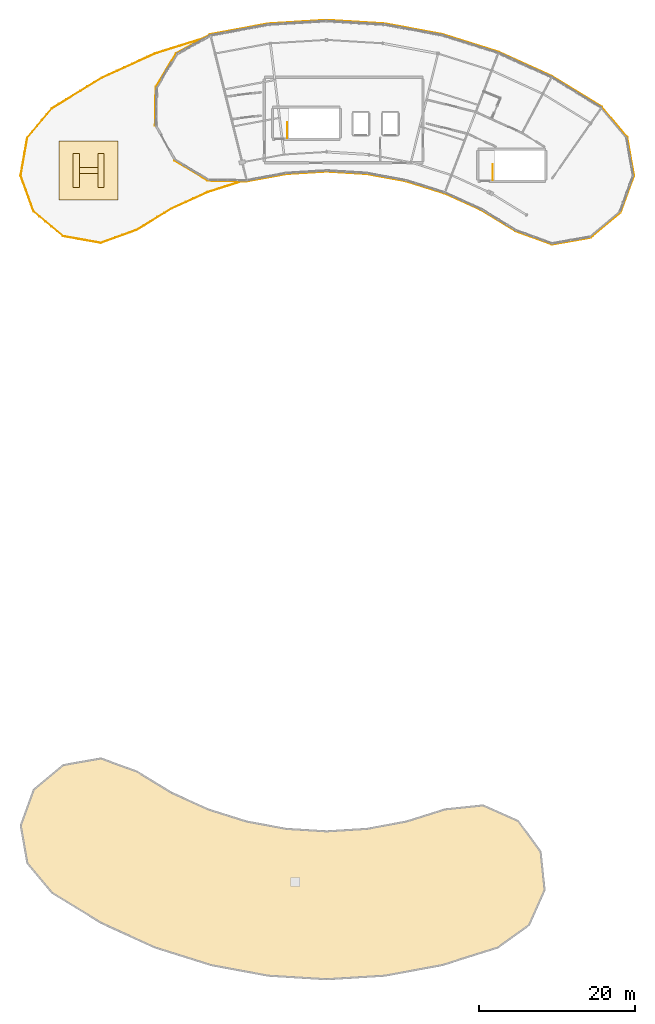
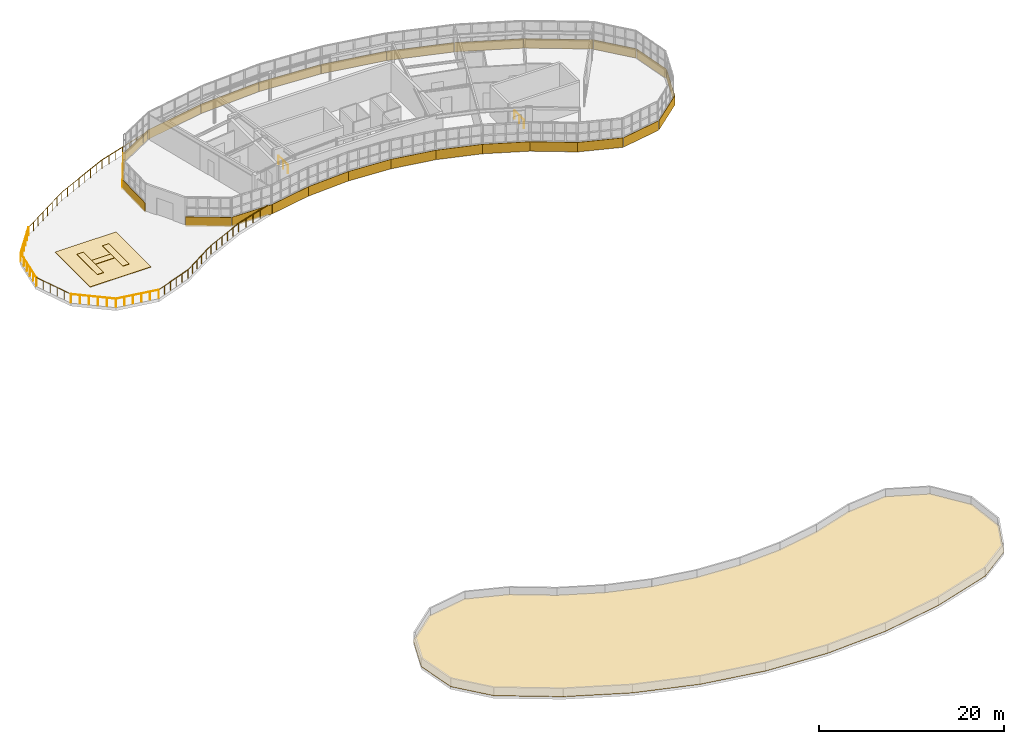
# One storey, part 26 of 26: 30 coverings, 14 railings.
"""IFC4 building model written with IfcOpenShell, lengths in metres."""

from ifc_helpers import new_model, si_unit, direction, frame, origin, origin_2d, place, context, subcontext, project, spatial, polyline, rectangle, circle, outline, extrude, material, layer, layer_set, type_object, element, save


model = new_model("IFC4")

# Units and contexts
model_context = context("Model", 3, precision=1e-05, world=origin(), true_north=direction((0.0, 1.0)))
body_context = subcontext(model_context, "Body", "Model", "MODEL_VIEW")
ifc_project = project(units=[si_unit("LENGTHUNIT", "METRE"), si_unit("AREAUNIT", "SQUARE_METRE"), si_unit("VOLUMEUNIT", "CUBIC_METRE"), si_unit("PLANEANGLEUNIT", "RADIAN"), si_unit("MASSUNIT", "GRAM", prefix="KILO")], contexts=[model_context])

# Site, building, storey
site_placement = place(None, origin())
site = spatial("IfcSite", under=ifc_project, at=site_placement, CompositionType="ELEMENT")
building_placement = place(site_placement, origin())
building = spatial("IfcBuilding", under=site, at=building_placement, Name="Tarnwether General Hospital", CompositionType="ELEMENT")
storey_placement = place(building_placement, frame((0.0, 0.0, 30.0)))
storey = spatial("IfcBuildingStorey", under=building, at=storey_placement, Name="L07", CompositionType="ELEMENT", Elevation=30.0)

# Coverings
ifc_material_1 = material(Name="Streamlined white enamelled aluminium", Category="aluminium")
ifc_layer_1 = layer(ifc_material_1, 0.044921875)
ifc_layer_set_1 = layer_set([ifc_layer_1], Name="Streamlined white enamelled aluminium")
covering_type_1 = type_object("IfcCoveringType", Name="CV-CLD-WHT", PredefinedType="CLADDING", material=ifc_layer_set_1)
covering_1_placement = place(storey_placement, frame((71.35791015625, 118.299072265625, -0.175048828125), z_axis=(0.0, 0.0, 1.0), x_axis=(0.514933348325, 0.857230218076, 0.0)))
element("IfcCovering", 1, at=covering_1_placement, inside=storey, type_object=covering_type_1, Name="Streamlined White Horizontal Band NW L07 01", PredefinedType="CLADDING", context=body_context, shape_type="SweptSolid", body=[
    extrude(rectangle(XDim=4.969970703125, YDim=0.044921875, at=origin_2d()), origin(), (0.0, 0.0, 1.0), 1.25),
])
covering_2_placement = place(storey_placement, frame((70.01708984375, 113.618896484375, -0.175048828125), z_axis=(0.0, 0.0, 1.0), x_axis=(0.017504758316, 0.99984677998, 0.0)))
element("IfcCovering", 2, at=covering_2_placement, inside=storey, type_object=covering_type_1, Name="Streamlined White Horizontal Band NW L07 02", PredefinedType="CLADDING", context=body_context, shape_type="SweptSolid", body=[
    extrude(rectangle(XDim=4.968994140625, YDim=0.044921875, at=origin_2d()), origin(), (0.0, 0.0, 1.0), 1.25),
])
for number, where, z_axis, x_axis, name in (
    (3, (74.575927734375, 105.39404296875, -0.175048828125), (0.0, 0.0, 1.0), (-0.857140332197, 0.515082955379, 0.0), "Streamlined White Horizontal Band NW L07 04"),
    (4, (79.256103515625, 104.052001953125, -0.175048828125), (0.0, 0.0, 1.0), (-0.999850122226, 0.017312801193, 0.0), "Streamlined White Horizontal Band NW L07 05"),
):
    element("IfcCovering", number, at=place(storey_placement, frame(where, z_axis=z_axis, x_axis=x_axis)), inside=storey, type_object=covering_type_1, Name=name, PredefinedType="CLADDING", context=body_context, shape_type="SweptSolid", body=[
        extrude(rectangle(XDim=4.969970703125, YDim=0.044921875, at=origin_2d()), origin(), (0.0, 0.0, 1.0), 1.25),
    ])
for number, where, z_axis, x_axis, name in (
    (5, (84.31201171875, 104.48291015625, -0.175048828125), (0.0, 0.0, 1.0), (-0.983267627608, -0.182166880906, 0.0), "Streamlined White Horizontal Band NW L07 06"),
    (6, (89.425048828125, 105.110107421875, -0.175048828125), (0.0, 0.0, 1.0), (-0.998134798422, -0.061048539535, 0.0), "Streamlined White Horizontal Band NW L07 07"),
    (7, (94.574951171875, 105.110107421875, -0.175048828125), (0.0, 0.0, 1.0), (-0.998134798422, 0.061048539535, 0.0), "Streamlined White Horizontal Band NW L07 08"),
    (8, (99.68798828125, 104.48291015625, -0.175048828125), (0.0, 0.0, 1.0), (-0.983267627608, 0.182166880906, 0.0), "Streamlined White Horizontal Band NW L07 09"),
):
    element("IfcCovering", number, at=place(storey_placement, frame(where, z_axis=z_axis, x_axis=x_axis)), inside=storey, type_object=covering_type_1, Name=name, PredefinedType="CLADDING", context=body_context, shape_type="SweptSolid", body=[
        extrude(rectangle(XDim=5.177001953125, YDim=0.044921875, at=origin_2d()), origin(), (0.0, 0.0, 1.0), 1.25),
    ])
covering_3_placement = place(storey_placement, frame((104.68603515625, 103.237060546875, -0.175048828125), z_axis=(0.0, 0.0, 1.0), x_axis=(-0.953711702297, 0.300722444959, 0.0)))
element("IfcCovering", 9, at=covering_3_placement, inside=storey, type_object=covering_type_1, Name="Streamlined White Horizontal Band NW L07 10", PredefinedType="CLADDING", context=body_context, shape_type="SweptSolid", body=[
    extrude(rectangle(XDim=5.177978515625, YDim=0.044921875, at=origin_2d()), origin(), (0.0, 0.0, 1.0), 1.25),
])
for number, where, z_axis, x_axis, name in (
    (10, (109.49609375, 101.389892578125, -0.175048828125), (0.0, 0.0, 1.0), (-0.909954032975, 0.414709124413, 0.0), "Streamlined White Horizontal Band NW L07 11"),
    (11, (114.0439453125, 98.971923828125, -0.175048828125), (0.0, 0.0, 1.0), (-0.852631044904, 0.522513446015, 0.0), "Streamlined White Horizontal Band NW L07 12"),
):
    element("IfcCovering", number, at=place(storey_placement, frame(where, z_axis=z_axis, x_axis=x_axis)), inside=storey, type_object=covering_type_1, Name=name, PredefinedType="CLADDING", context=body_context, shape_type="SweptSolid", body=[
        extrude(rectangle(XDim=5.177001953125, YDim=0.044921875, at=origin_2d()), origin(), (0.0, 0.0, 1.0), 1.25),
    ])
covering_4_placement = place(storey_placement, frame((118.60888671875, 96.758056640625, -0.175048828125), z_axis=(0.0, 0.0, 1.0), x_axis=(-0.93965082813, 0.342134945884, 0.0)))
element("IfcCovering", 12, at=covering_4_placement, inside=storey, type_object=covering_type_1, Name="Streamlined White Horizontal Band NW L07 13", PredefinedType="CLADDING", context=body_context, shape_type="SweptSolid", body=[
    extrude(rectangle(XDim=4.968994140625, YDim=0.044921875, at=origin_2d()), origin(), (0.0, 0.0, 1.0), 1.25),
])
for number, where, z_axis, x_axis, name in (
    (13, (123.458984375, 96.333984375, -0.175048828125), (0.0, 0.0, 1.0), (-0.98480472213, -0.173665365778, 0.0), "Streamlined White Horizontal Band NW L07 14"),
    (14, (127.87109375, 98.39111328125, -0.175048828125), (0.0, 0.0, 1.0), (-0.765988346401, -0.642854457228, 0.0), "Streamlined White Horizontal Band NW L07 15"),
):
    element("IfcCovering", number, at=place(storey_placement, frame(where, z_axis=z_axis, x_axis=x_axis)), inside=storey, type_object=covering_type_1, Name=name, PredefinedType="CLADDING", context=body_context, shape_type="SweptSolid", body=[
        extrude(rectangle(XDim=4.969970703125, YDim=0.044921875, at=origin_2d()), origin(), (0.0, 0.0, 1.0), 1.25),
    ])
covering_5_placement = place(storey_placement, frame((130.6640625, 102.37890625, -0.175048828125), z_axis=(0.0, 0.0, 1.0), x_axis=(-0.341954539571, -0.939716496006, 0.0)))
element("IfcCovering", 15, at=covering_5_placement, inside=storey, type_object=covering_type_1, Name="Streamlined White Horizontal Band NW L07 16", PredefinedType="CLADDING", context=body_context, shape_type="SweptSolid", body=[
    extrude(rectangle(XDim=4.968017578125, YDim=0.044921875, at=origin_2d()), origin(), (0.0, 0.0, 1.0), 1.25),
])
covering_6_placement = place(storey_placement, frame((131.087890625, 107.22900390625, -0.175048828125), z_axis=(0.0, 0.0, 1.0), x_axis=(0.173459104952, -0.984841072919, 0.0)))
element("IfcCovering", 16, at=covering_6_placement, inside=storey, type_object=covering_type_1, Name="Streamlined White Horizontal Band NW L07 17", PredefinedType="CLADDING", context=body_context, shape_type="SweptSolid", body=[
    extrude(rectangle(XDim=4.968994140625, YDim=0.044921875, at=origin_2d()), origin(), (0.0, 0.0, 1.0), 1.25),
])
covering_7_placement = place(storey_placement, frame((129.031005859375, 111.64111328125, -0.175048828125), z_axis=(0.0, 0.0, 1.0), x_axis=(0.642854457228, -0.765988346401, 0.0)))
element("IfcCovering", 17, at=covering_7_placement, inside=storey, type_object=covering_type_1, Name="Streamlined White Horizontal Band NW L07 18", PredefinedType="CLADDING", context=body_context, shape_type="SweptSolid", body=[
    extrude(rectangle(XDim=4.969970703125, YDim=0.044921875, at=origin_2d()), origin(), (0.0, 0.0, 1.0), 1.25),
])
for number, where, z_axis, x_axis, name in (
    (18, (124.194091796875, 115.5380859375, -0.175048828125), (0.0, 0.0, 1.0), (0.852631044904, -0.522513446015, 0.0), "Streamlined White Horizontal Band NW L07 19"),
    (19, (117.552001953125, 119.070068359375, -0.175048828125), (0.0, 0.0, 1.0), (0.909961270877, -0.414693242656, 0.0), "Streamlined White Horizontal Band NW L07 20"),
    (20, (110.528076171875, 121.764892578125, -0.175048828125), (0.0, 0.0, 1.0), (0.953743188648, -0.300622570855, 0.0), "Streamlined White Horizontal Band NW L07 21"),
    (21, (103.22900390625, 123.5849609375, -0.175048828125), (0.0, 0.0, 1.0), (0.983245364386, -0.182287008349, 0.0), "Streamlined White Horizontal Band NW L07 22"),
    (22, (95.761962890625, 124.501953125, -0.175048828125), (0.0, 0.0, 1.0), (0.998135863768, -0.061031118787, 0.0), "Streamlined White Horizontal Band NW L07 23"),
    (23, (88.238037109375, 124.501953125, -0.175048828125), (0.0, 0.0, 1.0), (0.998135863768, 0.061031118787, 0.0), "Streamlined White Horizontal Band NW L07 24"),
    (24, (80.77099609375, 123.5849609375, -0.175048828125), (0.0, 0.0, 1.0), (0.983245364386, 0.182287008349, 0.0), "Streamlined White Horizontal Band NW L07 25"),
):
    element("IfcCovering", number, at=place(storey_placement, frame(where, z_axis=z_axis, x_axis=x_axis)), inside=storey, type_object=covering_type_1, Name=name, PredefinedType="CLADDING", context=body_context, shape_type="SweptSolid", body=[
        extrude(rectangle(XDim=7.52099609375, YDim=0.044921875, at=origin_2d()), origin(), (0.0, 0.0, 1.0), 1.25),
    ])
covering_8_placement = place(storey_placement, frame((74.861083984375, 121.680908203125, -0.175048828125), z_axis=(0.0, 0.0, 1.0), x_axis=(0.874670471488, 0.484718027627, 0.0)))
element("IfcCovering", 25, at=covering_8_placement, inside=storey, type_object=covering_type_1, Name="Streamlined White Horizontal Band NW L07 26", PredefinedType="CLADDING", context=body_context, shape_type="SweptSolid", body=[
    extrude(rectangle(XDim=4.969970703125, YDim=0.044921875, at=origin_2d()), origin(), (0.0, 0.0, 1.0), 1.25),
])
for number, where, z_axis, x_axis, name in (
    (26, (59.826904296875, 105.422119140625, 0.06005859375), (0.0, 0.0, 1.0), (1.0, 0.0, 0.0), "Rooftop Helipad Aiming Marker H-L"),
    (27, (63.027099609375, 105.422119140625, 0.06005859375), (0.0, 0.0, 1.0), (1.0, 0.0, 0.0), "Rooftop Helipad Aiming Marker H-R"),
):
    element("IfcCovering", number, at=place(storey_placement, frame(where, z_axis=z_axis, x_axis=x_axis)), inside=storey, type_object=covering_type_1, Name=name, PredefinedType="CLADDING", context=body_context, shape_type="SweptSolid", body=[
        extrude(rectangle(XDim=0.800048828125, YDim=4.39990234375, at=origin_2d()), origin(), (0.0, 0.0, 1.0), 0.044921875),
    ])
covering_9_placement = place(storey_placement, frame((61.427001953125, 105.422119140625, 0.06005859375), z_axis=(0.0, 0.0, 1.0), x_axis=(1.0, 0.0, 0.0)))
element("IfcCovering", 28, at=covering_9_placement, inside=storey, type_object=covering_type_1, Name="Rooftop Helipad Aiming Marker H-C", PredefinedType="CLADDING", context=body_context, shape_type="SweptSolid", body=[
    extrude(rectangle(XDim=2.39990234375, YDim=0.800048828125, at=origin_2d()), origin(), (0.0, 0.0, 1.0), 0.044921875),
])
ifc_material_2 = material(Name="Elastomeric roof membrane")
ifc_layer_2 = layer(ifc_material_2, 0.06005859375)
ifc_layer_set_2 = layer_set([ifc_layer_2], Name="Elastomeric roof membrane")
covering_type_2 = type_object("IfcCoveringType", Name="CV-RFG-MEM", PredefinedType="ROOFING", material=ifc_layer_set_2)
covering_10_placement = place(storey_placement, frame((0.0, 0.0, 0.330078125)))
element("IfcCovering", 29, at=covering_10_placement, inside=storey, type_object=covering_type_2, Name="Roof Covering CV-RFG-WSE", PredefinedType="ROOFING", context=body_context, shape_type="SweptSolid", body=[
    extrude(outline(polyline([(56.66796875, 12.5400390625), (63.0810546875, 8.610107421875), (69.925048828125, 5.490966796875), (77.097900390625, 3.22998046875), (84.492919921875, 1.85888671875), (92.0, 1.39990234375), (99.507080078125, 1.85888671875), (106.902099609375, 3.22998046875), (114.074951171875, 5.490966796875), (118.095947265625, 8.412109375), (120.116943359375, 12.951904296875), (119.597900390625, 17.89404296875), (116.677001953125, 21.9140625), (112.136962890625, 23.93603515625), (107.195068359375, 23.416015625), (102.257080078125, 21.85888671875), (97.1669921875, 20.916015625), (92.0, 20.60009765625), (86.8330078125, 20.916015625), (81.742919921875, 21.85888671875), (76.804931640625, 23.416015625), (72.093994140625, 25.56298828125), (67.679931640625, 28.26806640625), (63.010986328125, 29.968017578125), (58.116943359375, 29.10498046875), (54.31005859375, 25.909912109375), (52.611083984375, 21.240966796875), (53.472900390625, 16.346923828125), (56.66796875, 12.5400390625)])), origin(), (0.0, 0.0, 1.0), 0.059814453125),
])
covering_11_placement = place(storey_placement, frame((61.427001953125, 105.422119140625, 0.0), z_axis=(0.0, 0.0, 1.0), x_axis=(1.0, 0.0, 0.0)))
element("IfcCovering", 30, at=covering_11_placement, inside=storey, type_object=covering_type_2, Name="Rooftop Helipad Touchdown Pad", PredefinedType="ROOFING", context=body_context, shape_type="SweptSolid", body=[
    extrude(rectangle(XDim=7.60009765625, YDim=7.60009765625, at=origin_2d()), origin(), (0.0, 0.0, 1.0), 0.06005859375),
])

# Railings
ifc_material_3 = material(Name="Anodised aluminium", Category="aluminium")
railing_type_1 = type_object("IfcRailingType", Name="RL-GRD-EXT", PredefinedType="GUARDRAIL", material=ifc_material_3)
railing_1_placement = place(storey_placement, frame((81.18994140625, 104.051025390625, 0.0)))
element("IfcRailing", 31, at=railing_1_placement, inside=storey, type_object=railing_type_1, Name="L07 Rooftop Emergency Helipad Deck SL-L07-HELIPAD Guard 0031", PredefinedType="GUARDRAIL", context=body_context, shape_type="SweptSolid", body=[
    extrude(circle(Radius=0.02392578125, at=origin_2d()), frame((0.0, 0.0, 1.1259765625), z_axis=(-0.953656062242, -0.300898845044, 0.0), x_axis=(0.300898845044, -0.953656062242, 0.0)), (0.0, 0.0, 1.0), 4.623291015625),
    extrude(circle(Radius=0.02099609375, at=origin_2d()), origin(), (0.0, 0.0, 1.0), 1.101806640625),
    extrude(circle(Radius=0.02099609375, at=origin_2d()), frame((-1.102294921875, -0.34765625, 0.0)), (0.0, 0.0, 1.0), 1.101806640625),
    extrude(circle(Radius=0.02099609375, at=origin_2d()), frame((-2.20458984375, -0.695556640625, 0.0)), (0.0, 0.0, 1.0), 1.101806640625),
    extrude(circle(Radius=0.02099609375, at=origin_2d()), frame((-3.306640625, -1.04345703125, 0.0)), (0.0, 0.0, 1.0), 1.101806640625),
    extrude(circle(Radius=0.02099609375, at=origin_2d()), frame((-4.408935546875, -1.39111328125, 0.0)), (0.0, 0.0, 1.0), 1.101806640625),
])
railing_2_placement = place(storey_placement, frame((76.77197265625, 102.656982421875, 0.0)))
element("IfcRailing", 32, at=railing_2_placement, inside=storey, type_object=railing_type_1, Name="L07 Rooftop Emergency Helipad Deck SL-L07-HELIPAD Guard 0032", PredefinedType="GUARDRAIL", context=body_context, shape_type="SweptSolid", body=[
    extrude(circle(Radius=0.02392578125, at=origin_2d()), frame((0.0, 0.0, 1.1259765625), z_axis=(-0.909955822384, -0.414705198074, 0.0), x_axis=(0.414705198074, -0.909955822384, 0.0)), (0.0, 0.0, 1.0), 5.177001953125),
    extrude(circle(Radius=0.02099609375, at=origin_2d()), origin(), (0.0, 0.0, 1.0), 1.101806640625),
    extrude(circle(Radius=0.02099609375, at=origin_2d()), frame((-0.942138671875, -0.429443359375, 0.0)), (0.0, 0.0, 1.0), 1.101806640625),
    extrude(circle(Radius=0.02099609375, at=origin_2d()), frame((-1.88427734375, -0.85888671875, 0.0)), (0.0, 0.0, 1.0), 1.101806640625),
    extrude(circle(Radius=0.02099609375, at=origin_2d()), frame((-2.82666015625, -1.2880859375, 0.0)), (0.0, 0.0, 1.0), 1.101806640625),
    extrude(circle(Radius=0.02099609375, at=origin_2d()), frame((-3.768798828125, -1.717529296875, 0.0)), (0.0, 0.0, 1.0), 1.101806640625),
    extrude(circle(Radius=0.02099609375, at=origin_2d()), frame((-4.7109375, -2.14697265625, 0.0)), (0.0, 0.0, 1.0), 1.101806640625),
])
railing_3_placement = place(storey_placement, frame((72.052001953125, 100.5048828125, 0.0)))
element("IfcRailing", 33, at=railing_3_placement, inside=storey, type_object=railing_type_1, Name="L07 Rooftop Emergency Helipad Deck SL-L07-HELIPAD Guard 0033", PredefinedType="GUARDRAIL", context=body_context, shape_type="SweptSolid", body=[
    extrude(circle(Radius=0.02392578125, at=origin_2d()), frame((0.0, 0.0, 1.1259765625), z_axis=(-0.852612113791, -0.522544336317, 0.0), x_axis=(0.522544336317, -0.852612113791, 0.0)), (0.0, 0.0, 1.0), 5.168701171875),
    extrude(circle(Radius=0.02099609375, at=origin_2d()), origin(), (0.0, 0.0, 1.0), 1.101806640625),
    extrude(circle(Radius=0.02099609375, at=origin_2d()), frame((-0.88134765625, -0.540283203125, 0.0)), (0.0, 0.0, 1.0), 1.101806640625),
    extrude(circle(Radius=0.02099609375, at=origin_2d()), frame((-1.7626953125, -1.080322265625, 0.0)), (0.0, 0.0, 1.0), 1.101806640625),
    extrude(circle(Radius=0.02099609375, at=origin_2d()), frame((-2.644287109375, -1.62060546875, 0.0)), (0.0, 0.0, 1.0), 1.101806640625),
    extrude(circle(Radius=0.02099609375, at=origin_2d()), frame((-3.525634765625, -2.16064453125, 0.0)), (0.0, 0.0, 1.0), 1.101806640625),
    extrude(circle(Radius=0.02099609375, at=origin_2d()), frame((-4.406982421875, -2.700927734375, 0.0)), (0.0, 0.0, 1.0), 1.101806640625),
])
railing_4_placement = place(storey_placement, frame((67.64501953125, 97.803955078125, 0.0)))
element("IfcRailing", 34, at=railing_4_placement, inside=storey, type_object=railing_type_1, Name="L07 Rooftop Emergency Helipad Deck SL-L07-HELIPAD Guard 0034", PredefinedType="GUARDRAIL", context=body_context, shape_type="SweptSolid", body=[
    extrude(circle(Radius=0.02392578125, at=origin_2d()), frame((0.0, 0.0, 1.1259765625), z_axis=(-0.939709684974, -0.341973256215, 0.0), x_axis=(0.341973256215, -0.939709684974, 0.0)), (0.0, 0.0, 1.0), 4.93896484375),
    extrude(circle(Radius=0.02099609375, at=origin_2d()), origin(), (0.0, 0.0, 1.0), 1.101806640625),
    extrude(circle(Radius=0.02099609375, at=origin_2d()), frame((-0.92822265625, -0.337890625, 0.0)), (0.0, 0.0, 1.0), 1.101806640625),
    extrude(circle(Radius=0.02099609375, at=origin_2d()), frame((-1.8564453125, -0.675537109375, 0.0)), (0.0, 0.0, 1.0), 1.101806640625),
    extrude(circle(Radius=0.02099609375, at=origin_2d()), frame((-2.78466796875, -1.013427734375, 0.0)), (0.0, 0.0, 1.0), 1.101806640625),
    extrude(circle(Radius=0.02099609375, at=origin_2d()), frame((-3.712890625, -1.35107421875, 0.0)), (0.0, 0.0, 1.0), 1.101806640625),
    extrude(circle(Radius=0.02099609375, at=origin_2d()), frame((-4.64111328125, -1.68896484375, 0.0)), (0.0, 0.0, 1.0), 1.101806640625),
])
railing_5_placement = place(storey_placement, frame((63.00390625, 96.114990234375, 0.0)))
element("IfcRailing", 35, at=railing_5_placement, inside=storey, type_object=railing_type_1, Name="L07 Rooftop Emergency Helipad Deck SL-L07-HELIPAD Guard 0035", PredefinedType="GUARDRAIL", context=body_context, shape_type="SweptSolid", body=[
    extrude(circle(Radius=0.02392578125, at=origin_2d()), frame((0.0, 0.0, 1.1259765625), z_axis=(-0.984825934783, 0.173545032135, 0.0), x_axis=(-0.173545032135, -0.984825934783, 0.0)), (0.0, 0.0, 1.0), 4.926513671875),
    extrude(circle(Radius=0.02099609375, at=origin_2d()), origin(), (0.0, 0.0, 1.0), 1.101806640625),
    extrude(circle(Radius=0.02099609375, at=origin_2d()), frame((-0.970458984375, 0.1708984375, 0.0)), (0.0, 0.0, 1.0), 1.101806640625),
    extrude(circle(Radius=0.02099609375, at=origin_2d()), frame((-1.940673828125, 0.342041015625, 0.0)), (0.0, 0.0, 1.0), 1.101806640625),
    extrude(circle(Radius=0.02099609375, at=origin_2d()), frame((-2.9111328125, 0.512939453125, 0.0)), (0.0, 0.0, 1.0), 1.101806640625),
    extrude(circle(Radius=0.02099609375, at=origin_2d()), frame((-3.88134765625, 0.68408203125, 0.0)), (0.0, 0.0, 1.0), 1.101806640625),
    extrude(circle(Radius=0.02099609375, at=origin_2d()), frame((-4.851806640625, 0.85498046875, 0.0)), (0.0, 0.0, 1.0), 1.101806640625),
])
railing_6_placement = place(storey_placement, frame((58.152099609375, 96.969970703125, 0.0)))
element("IfcRailing", 36, at=railing_6_placement, inside=storey, type_object=railing_type_1, Name="L07 Rooftop Emergency Helipad Deck SL-L07-HELIPAD Guard 0036", PredefinedType="GUARDRAIL", context=body_context, shape_type="SweptSolid", body=[
    extrude(circle(Radius=0.02392578125, at=origin_2d()), frame((0.0, 0.0, 1.1259765625), z_axis=(-0.766035688303, 0.642798043125, 0.0), x_axis=(-0.642798043125, -0.766035688303, 0.0)), (0.0, 0.0, 1.0), 4.927001953125),
    extrude(circle(Radius=0.02099609375, at=origin_2d()), origin(), (0.0, 0.0, 1.0), 1.101806640625),
    extrude(circle(Radius=0.02099609375, at=origin_2d()), frame((-0.7548828125, 0.63330078125, 0.0)), (0.0, 0.0, 1.0), 1.101806640625),
    extrude(circle(Radius=0.02099609375, at=origin_2d()), frame((-1.509765625, 1.266845703125, 0.0)), (0.0, 0.0, 1.0), 1.101806640625),
    extrude(circle(Radius=0.02099609375, at=origin_2d()), frame((-2.264404296875, 1.900146484375, 0.0)), (0.0, 0.0, 1.0), 1.101806640625),
    extrude(circle(Radius=0.02099609375, at=origin_2d()), frame((-3.019287109375, 2.53369140625, 0.0)), (0.0, 0.0, 1.0), 1.101806640625),
    extrude(circle(Radius=0.02099609375, at=origin_2d()), frame((-3.774169921875, 3.1669921875, 0.0)), (0.0, 0.0, 1.0), 1.101806640625),
])
railing_7_placement = place(storey_placement, frame((54.3779296875, 100.136962890625, 0.0)))
element("IfcRailing", 37, at=railing_7_placement, inside=storey, type_object=railing_type_1, Name="L07 Rooftop Emergency Helipad Deck SL-L07-HELIPAD Guard 0037", PredefinedType="GUARDRAIL", context=body_context, shape_type="SweptSolid", body=[
    extrude(circle(Radius=0.02392578125, at=origin_2d()), frame((0.0, 0.0, 1.1259765625), z_axis=(-0.341834589837, 0.939760135987, 0.0), x_axis=(-0.939760135987, -0.341834589837, 0.0)), (0.0, 0.0, 1.0), 4.92578125),
    extrude(circle(Radius=0.02099609375, at=origin_2d()), origin(), (0.0, 0.0, 1.0), 1.101806640625),
    extrude(circle(Radius=0.02099609375, at=origin_2d()), frame((-0.336669921875, 0.92578125, 0.0)), (0.0, 0.0, 1.0), 1.101806640625),
    extrude(circle(Radius=0.02099609375, at=origin_2d()), frame((-0.673583984375, 1.8515625, 0.0)), (0.0, 0.0, 1.0), 1.101806640625),
    extrude(circle(Radius=0.02099609375, at=origin_2d()), frame((-1.01025390625, 2.777587890625, 0.0)), (0.0, 0.0, 1.0), 1.101806640625),
    extrude(circle(Radius=0.02099609375, at=origin_2d()), frame((-1.34716796875, 3.703369140625, 0.0)), (0.0, 0.0, 1.0), 1.101806640625),
    extrude(circle(Radius=0.02099609375, at=origin_2d()), frame((-1.683837890625, 4.629150390625, 0.0)), (0.0, 0.0, 1.0), 1.101806640625),
])
railing_8_placement = place(storey_placement, frame((52.694091796875, 104.76611328125, 0.0)))
element("IfcRailing", 38, at=railing_8_placement, inside=storey, type_object=railing_type_1, Name="L07 Rooftop Emergency Helipad Deck SL-L07-HELIPAD Guard 0038", PredefinedType="GUARDRAIL", context=body_context, shape_type="SweptSolid", body=[
    extrude(circle(Radius=0.02392578125, at=origin_2d()), frame((0.0, 0.0, 1.1259765625), z_axis=(0.173352768392, 0.984859795956, 0.0), x_axis=(-0.984859795956, 0.173352768392, 0.0)), (0.0, 0.0, 1.0), 4.926513671875),
    extrude(circle(Radius=0.02099609375, at=origin_2d()), origin(), (0.0, 0.0, 1.0), 1.101806640625),
    extrude(circle(Radius=0.02099609375, at=origin_2d()), frame((0.1708984375, 0.970458984375, 0.0)), (0.0, 0.0, 1.0), 1.101806640625),
    extrude(circle(Radius=0.02099609375, at=origin_2d()), frame((0.341552734375, 1.940673828125, 0.0)), (0.0, 0.0, 1.0), 1.101806640625),
    extrude(circle(Radius=0.02099609375, at=origin_2d()), frame((0.512451171875, 2.9111328125, 0.0)), (0.0, 0.0, 1.0), 1.101806640625),
    extrude(circle(Radius=0.02099609375, at=origin_2d()), frame((0.68310546875, 3.88134765625, 0.0)), (0.0, 0.0, 1.0), 1.101806640625),
    extrude(circle(Radius=0.02099609375, at=origin_2d()), frame((0.85400390625, 4.851806640625, 0.0)), (0.0, 0.0, 1.0), 1.101806640625),
])
railing_9_placement = place(storey_placement, frame((53.548095703125, 109.617919921875, 0.0)))
element("IfcRailing", 39, at=railing_9_placement, inside=storey, type_object=railing_type_1, Name="L07 Rooftop Emergency Helipad Deck SL-L07-HELIPAD Guard 0039", PredefinedType="GUARDRAIL", context=body_context, shape_type="SweptSolid", body=[
    extrude(circle(Radius=0.02392578125, at=origin_2d()), frame((0.0, 0.0, 1.1259765625), z_axis=(0.642812687892, 0.766023399306, 0.0), x_axis=(-0.766023399306, 0.642812687892, 0.0)), (0.0, 0.0, 1.0), 4.935791015625),
    extrude(circle(Radius=0.02099609375, at=origin_2d()), origin(), (0.0, 0.0, 1.0), 1.101806640625),
    extrude(circle(Radius=0.02099609375, at=origin_2d()), frame((0.634521484375, 0.756103515625, 0.0)), (0.0, 0.0, 1.0), 1.101806640625),
    extrude(circle(Radius=0.02099609375, at=origin_2d()), frame((1.26904296875, 1.512451171875, 0.0)), (0.0, 0.0, 1.0), 1.101806640625),
    extrude(circle(Radius=0.02099609375, at=origin_2d()), frame((1.90380859375, 2.2685546875, 0.0)), (0.0, 0.0, 1.0), 1.101806640625),
    extrude(circle(Radius=0.02099609375, at=origin_2d()), frame((2.538330078125, 3.02490234375, 0.0)), (0.0, 0.0, 1.0), 1.101806640625),
    extrude(circle(Radius=0.02099609375, at=origin_2d()), frame((3.1728515625, 3.781005859375, 0.0)), (0.0, 0.0, 1.0), 1.101806640625),
])
railing_10_placement = place(storey_placement, frame((56.720947265625, 113.39892578125, 0.0)))
element("IfcRailing", 40, at=railing_10_placement, inside=storey, type_object=railing_type_1, Name="L07 Rooftop Emergency Helipad Deck SL-L07-HELIPAD Guard 0040", PredefinedType="GUARDRAIL", context=body_context, shape_type="SweptSolid", body=[
    extrude(circle(Radius=0.02392578125, at=origin_2d()), frame((0.0, 0.0, 1.1259765625), z_axis=(0.852669986647, 0.522449896039, 0.0), x_axis=(-0.522449896039, 0.852669986647, 0.0)), (0.0, 0.0, 1.0), 7.50341796875),
    extrude(circle(Radius=0.02099609375, at=origin_2d()), origin(), (0.0, 0.0, 1.0), 1.101806640625),
    extrude(circle(Radius=0.02099609375, at=origin_2d()), frame((0.9140625, 0.56005859375, 0.0)), (0.0, 0.0, 1.0), 1.101806640625),
    extrude(circle(Radius=0.02099609375, at=origin_2d()), frame((1.827880859375, 1.1201171875, 0.0)), (0.0, 0.0, 1.0), 1.101806640625),
    extrude(circle(Radius=0.02099609375, at=origin_2d()), frame((2.741943359375, 1.68017578125, 0.0)), (0.0, 0.0, 1.0), 1.101806640625),
    extrude(circle(Radius=0.02099609375, at=origin_2d()), frame((3.656005859375, 2.239990234375, 0.0)), (0.0, 0.0, 1.0), 1.101806640625),
    extrude(circle(Radius=0.02099609375, at=origin_2d()), frame((4.570068359375, 2.800048828125, 0.0)), (0.0, 0.0, 1.0), 1.101806640625),
    extrude(circle(Radius=0.02099609375, at=origin_2d()), frame((5.48388671875, 3.360107421875, 0.0)), (0.0, 0.0, 1.0), 1.101806640625),
    extrude(circle(Radius=0.02099609375, at=origin_2d()), frame((6.39794921875, 3.920166015625, 0.0)), (0.0, 0.0, 1.0), 1.101806640625),
])
railing_11_placement = place(storey_placement, frame((63.118896484375, 117.319091796875, 0.0)))
element("IfcRailing", 41, at=railing_11_placement, inside=storey, type_object=railing_type_1, Name="L07 Rooftop Emergency Helipad Deck SL-L07-HELIPAD Guard 0041", PredefinedType="GUARDRAIL", context=body_context, shape_type="SweptSolid", body=[
    extrude(circle(Radius=0.02392578125, at=origin_2d()), frame((0.0, 0.0, 1.1259765625), z_axis=(0.909960878109, 0.414694104504, 0.0), x_axis=(-0.414694104504, 0.909960878109, 0.0)), (0.0, 0.0, 1.0), 7.511474609375),
    extrude(circle(Radius=0.02099609375, at=origin_2d()), origin(), (0.0, 0.0, 1.0), 1.101806640625),
    extrude(circle(Radius=0.02099609375, at=origin_2d()), frame((0.9765625, 0.445068359375, 0.0)), (0.0, 0.0, 1.0), 1.101806640625),
    extrude(circle(Radius=0.02099609375, at=origin_2d()), frame((1.952880859375, 0.889892578125, 0.0)), (0.0, 0.0, 1.0), 1.101806640625),
    extrude(circle(Radius=0.02099609375, at=origin_2d()), frame((2.929443359375, 1.3349609375, 0.0)), (0.0, 0.0, 1.0), 1.101806640625),
    extrude(circle(Radius=0.02099609375, at=origin_2d()), frame((3.90576171875, 1.780029296875, 0.0)), (0.0, 0.0, 1.0), 1.101806640625),
    extrude(circle(Radius=0.02099609375, at=origin_2d()), frame((4.88232421875, 2.22509765625, 0.0)), (0.0, 0.0, 1.0), 1.101806640625),
    extrude(circle(Radius=0.02099609375, at=origin_2d()), frame((5.858642578125, 2.669921875, 0.0)), (0.0, 0.0, 1.0), 1.101806640625),
    extrude(circle(Radius=0.02099609375, at=origin_2d()), frame((6.835205078125, 3.114990234375, 0.0)), (0.0, 0.0, 1.0), 1.101806640625),
])
railing_12_placement = place(storey_placement, frame((69.9541015625, 120.43408203125, 0.0)))
element("IfcRailing", 42, at=railing_12_placement, inside=storey, type_object=railing_type_1, Name="L07 Rooftop Emergency Helipad Deck SL-L07-HELIPAD Guard 0042", PredefinedType="GUARDRAIL", context=body_context, shape_type="SweptSolid", body=[
    extrude(circle(Radius=0.02392578125, at=origin_2d()), frame((0.0, 0.0, 1.1259765625), z_axis=(0.953722433111, 0.30068841112, 0.0), x_axis=(-0.30068841112, 0.953722433111, 0.0)), (0.0, 0.0, 1.0), 6.621337890625),
    extrude(circle(Radius=0.02099609375, at=origin_2d()), origin(), (0.0, 0.0, 1.0), 1.101806640625),
    extrude(circle(Radius=0.02099609375, at=origin_2d()), frame((1.052490234375, 0.331787109375, 0.0)), (0.0, 0.0, 1.0), 1.101806640625),
    extrude(circle(Radius=0.02099609375, at=origin_2d()), frame((2.10498046875, 0.66357421875, 0.0)), (0.0, 0.0, 1.0), 1.101806640625),
    extrude(circle(Radius=0.02099609375, at=origin_2d()), frame((3.157470703125, 0.99560546875, 0.0)), (0.0, 0.0, 1.0), 1.101806640625),
    extrude(circle(Radius=0.02099609375, at=origin_2d()), frame((4.2099609375, 1.327392578125, 0.0)), (0.0, 0.0, 1.0), 1.101806640625),
    extrude(circle(Radius=0.02099609375, at=origin_2d()), frame((5.262451171875, 1.6591796875, 0.0)), (0.0, 0.0, 1.0), 1.101806640625),
    extrude(circle(Radius=0.02099609375, at=origin_2d()), frame((6.31494140625, 1.990966796875, 0.0)), (0.0, 0.0, 1.0), 1.101806640625),
])
ifc_material_4 = material(Name="Anodised aluminium", Category="aluminium")
railing_type_2 = type_object("IfcRailingType", Name="RL-GRD-INT", PredefinedType="GUARDRAIL", material=ifc_material_4)
for number, where, name in (
    (43, (86.949951171875, 109.60009765625, 0.0), "L07 ST-01 top well guard 1"),
    (44, (113.35009765625, 104.199951171875, 0.0), "L07 ST-08 top well guard 1"),
):
    element("IfcRailing", number, at=place(storey_placement, frame(where)), inside=storey, type_object=railing_type_2, Name=name, PredefinedType="GUARDRAIL", context=body_context, shape_type="SweptSolid", body=[
        extrude(circle(Radius=0.02392578125, at=origin_2d()), frame((0.0, 0.0, 1.076171875), z_axis=(0.0, 1.0, 0.0), x_axis=(-1.0, 0.0, 0.0)), (0.0, 0.0, 1.0), 2.0),
        extrude(circle(Radius=0.02099609375, at=origin_2d()), origin(), (0.0, 0.0, 1.0), 1.052001953125),
        extrude(circle(Radius=0.02099609375, at=origin_2d()), frame((0.0, 1.0, 0.0)), (0.0, 0.0, 1.0), 1.052001953125),
        extrude(circle(Radius=0.02099609375, at=origin_2d()), frame((0.0, 2.0, 0.0)), (0.0, 0.0, 1.0), 1.052001953125),
    ])

save(model, "model.ifc")
